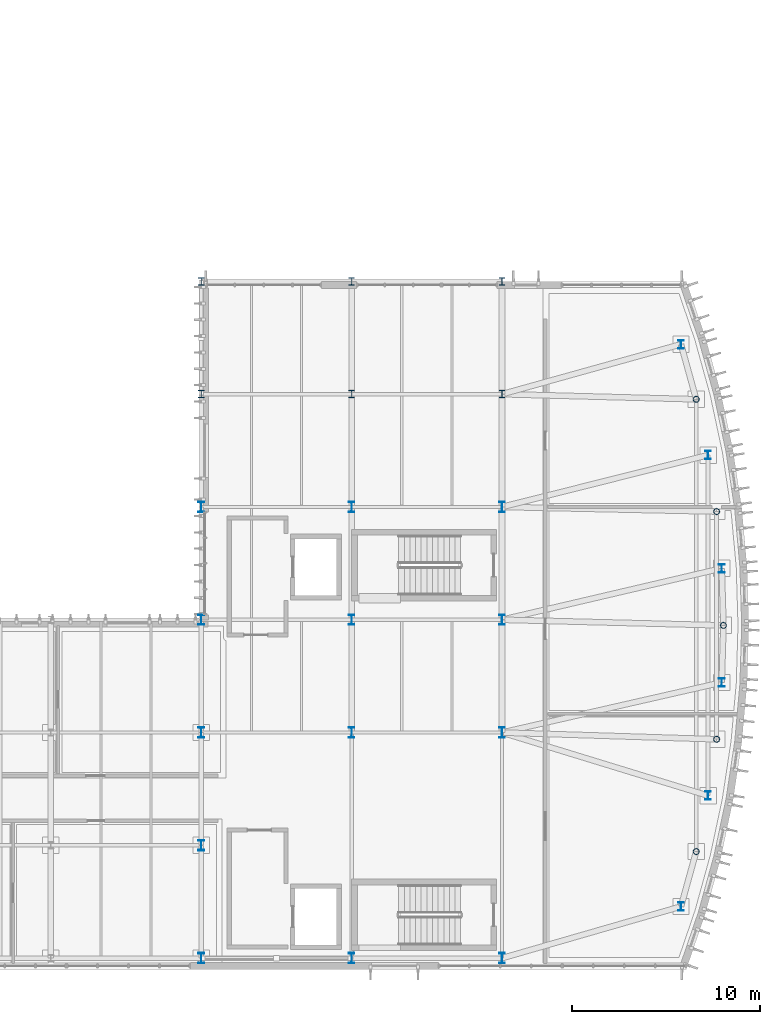
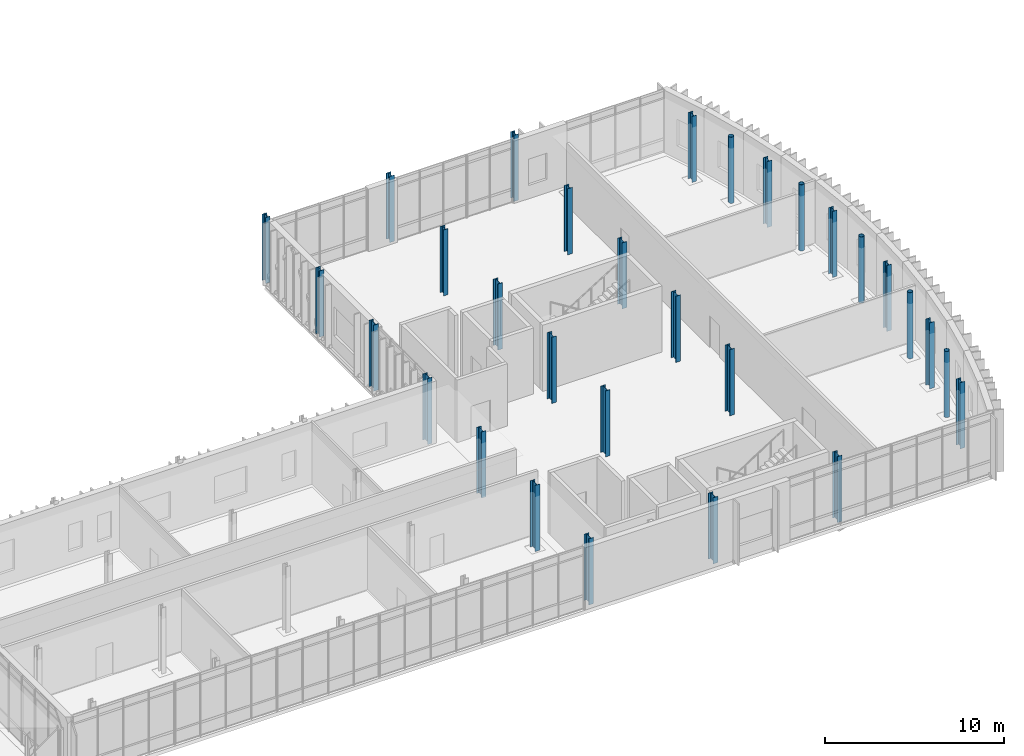
# One storey, part 11 of 86: 30 columns.
"""IFC4 building model written with IfcOpenShell, lengths in metres."""

from ifc_helpers import new_model, si_unit, direction, frame, origin, origin_2d, place, context, subcontext, project, spatial, hollow_circle, i_section, extrude, material, material_profile, profile_set, type_object, element, save


model = new_model("IFC4")

# Units and contexts
model_context = context("Model", 3, precision=1e-05, world=origin(), true_north=direction((0.0, 1.0)))
body_context = subcontext(model_context, "Body", "Model", "MODEL_VIEW")
ifc_project = project(units=[si_unit("LENGTHUNIT", "METRE"), si_unit("AREAUNIT", "SQUARE_METRE"), si_unit("VOLUMEUNIT", "CUBIC_METRE"), si_unit("PLANEANGLEUNIT", "RADIAN"), si_unit("MASSUNIT", "GRAM", prefix="KILO")], contexts=[model_context])

# Site, building, storey
site_placement = place(None, origin())
site = spatial("IfcSite", under=ifc_project, at=site_placement, CompositionType="ELEMENT")
building_placement = place(site_placement, origin())
building = spatial("IfcBuilding", under=site, at=building_placement, Name="Cymarion Research Institute", CompositionType="ELEMENT")
storey_placement = place(building_placement, frame((0.0, 0.0, 13.800048828125)))
storey = spatial("IfcBuildingStorey", under=building, at=storey_placement, Name="L03", CompositionType="ELEMENT", Elevation=13.800048828125)

# Columns
ifc_material = material(Name="Steel S355", Category="steel")
ifc_material_profile_1 = material_profile(ifc_material, i_section(OverallWidth=0.300048828125, OverallDepth=0.550048828125, WebThickness=0.014892578125, FlangeThickness=0.029052734375, FilletRadius=0.027099609375, at=origin_2d()), Name="HEB 550")
ifc_profile_set_1 = profile_set([ifc_material_profile_1], Name="Steel S355")
column_type_1 = type_object("IfcColumnType", Name="STRUCTURAL COLUMN C03 HEB 550", PredefinedType="COLUMN", material=ifc_profile_set_1)
for number, where, z_axis, x_axis, name in (
    (1, (138.60009765625, 5.5, 0.0), (0.0, 0.0, 1.0), (1.0, 0.0, 0.0), "L03 V1 column C03 #991"),
    (2, (138.60009765625, 11.5, 0.0), (0.0, 0.0, 1.0), (1.0, 0.0, 0.0), "L03 V1 column C03 #992"),
    (3, (138.60009765625, 17.5, 0.0), (0.0, 0.0, 1.0), (1.0, 0.0, 0.0), "L03 V1 column C03 #993"),
    (4, (138.60009765625, 23.5, 0.0), (0.0, 0.0, 1.0), (1.0, 0.0, 0.0), "L03 V1 column C03 #994"),
    (5, (138.60009765625, 29.5, 0.0), (0.0, 0.0, 1.0), (1.0, 0.0, 0.0), "L03 V1 column C03 #995"),
    (6, (146.60009765625, 5.5, 0.0), (0.0, 0.0, 1.0), (1.0, 0.0, 0.0), "L03 V1 column C03 #998"),
    (7, (146.60009765625, 17.5, 0.0), (0.0, 0.0, 1.0), (1.0, 0.0, 0.0), "L03 V1 column C03 #999"),
    (8, (146.60009765625, 23.5, 0.0), (0.0, 0.0, 1.0), (1.0, 0.0, 0.0), "L03 V1 column C03 #1000"),
    (9, (146.60009765625, 29.5, 0.0), (0.0, 0.0, 1.0), (1.0, 0.0, 0.0), "L03 V1 column C03 #1001"),
    (10, (154.60009765625, 5.5, 0.0), (0.0, 0.0, 1.0), (1.0, 0.0, 0.0), "L03 V1 column C03 #1004"),
    (11, (154.60009765625, 17.5, 0.0), (0.0, 0.0, 1.0), (1.0, 0.0, 0.0), "L03 V1 column C03 #1005"),
    (12, (154.60009765625, 23.5, 0.0), (0.0, 0.0, 1.0), (1.0, 0.0, 0.0), "L03 V1 column C03 #1006"),
    (13, (154.60009765625, 29.5, 0.0), (0.0, 0.0, 1.0), (1.0, 0.0, 0.0), "L03 V1 column C03 #1007"),
):
    element("IfcColumn", number, at=place(storey_placement, frame(where, z_axis=z_axis, x_axis=x_axis)), inside=storey, type_object=column_type_1, Name=name, PredefinedType="COLUMN", context=body_context, shape_type="SweptSolid", body=[
        extrude(i_section(OverallWidth=0.300048828125, OverallDepth=0.550048828125, WebThickness=0.014892578125, FlangeThickness=0.029052734375, FilletRadius=0.027099609375, at=origin_2d()), origin(), (0.0, 0.0, 1.0), 4.5),
    ])
ifc_material_profile_2 = material_profile(ifc_material, i_section(OverallWidth=0.300048828125, OverallDepth=0.449951171875, WebThickness=0.013916015625, FlangeThickness=0.02587890625, FilletRadius=0.027099609375, at=origin_2d()), Name="HEB 450")
ifc_profile_set_2 = profile_set([ifc_material_profile_2], Name="Steel S355")
column_type_2 = type_object("IfcColumnType", Name="STRUCTURAL COLUMN C05 HEB 450", PredefinedType="COLUMN", material=ifc_profile_set_2)
for number, where, z_axis, x_axis, name in (
    (14, (164.118896484375, 8.2470703125, 0.0), (0.0, 0.0, 1.0), (1.0, 0.0, 0.0), "L03 V1 column C05 #1010"),
    (15, (164.118896484375, 38.153076171875, 0.0), (0.0, 0.0, 1.0), (1.0, 0.0, 0.0), "L03 V1 column C05 #1011"),
    (16, (165.559814453125, 14.1416015625, 0.0), (0.0, 0.0, 1.0), (1.0, 0.0, 0.0), "L03 V1 column C05 #1014"),
    (17, (165.559814453125, 32.258544921875, 0.0), (0.0, 0.0, 1.0), (1.0, 0.0, 0.0), "L03 V1 column C05 #1015"),
    (18, (166.285400390625, 20.166015625, 0.0), (0.0, 0.0, 1.0), (1.0, 0.0, 0.0), "L03 V1 column C05 #1018"),
    (19, (166.285400390625, 26.23388671875, 0.0), (0.0, 0.0, 1.0), (1.0, 0.0, 0.0), "L03 V1 column C05 #1019"),
):
    element("IfcColumn", number, at=place(storey_placement, frame(where, z_axis=z_axis, x_axis=x_axis)), inside=storey, type_object=column_type_2, Name=name, PredefinedType="COLUMN", context=body_context, shape_type="SweptSolid", body=[
        extrude(i_section(OverallWidth=0.300048828125, OverallDepth=0.449951171875, WebThickness=0.013916015625, FlangeThickness=0.02587890625, FilletRadius=0.027099609375, at=origin_2d()), origin(), (0.0, 0.0, 1.0), 4.5),
    ])
ifc_material_profile_3 = material_profile(ifc_material, i_section(OverallWidth=0.300048828125, OverallDepth=0.39990234375, WebThickness=0.013427734375, FlangeThickness=0.02392578125, FilletRadius=0.027099609375, at=origin_2d()), Name="HEB 400")
ifc_profile_set_3 = profile_set([ifc_material_profile_3], Name="Steel S355")
column_type_3 = type_object("IfcColumnType", Name="STRUCTURAL COLUMN C06 HEB 400", PredefinedType="COLUMN", material=ifc_profile_set_3)
for number, where, z_axis, x_axis, name in (
    (20, (138.60009765625, 35.5, 0.0), (0.0, 0.0, 1.0), (1.0, 0.0, 0.0), "L03 V1 column C06 #996"),
    (21, (138.60009765625, 41.5, 0.0), (0.0, 0.0, 1.0), (1.0, 0.0, 0.0), "L03 V1 column C06 #997"),
    (22, (146.60009765625, 35.5, 0.0), (0.0, 0.0, 1.0), (1.0, 0.0, 0.0), "L03 V1 column C06 #1002"),
    (23, (146.60009765625, 41.5, 0.0), (0.0, 0.0, 1.0), (1.0, 0.0, 0.0), "L03 V1 column C06 #1003"),
    (24, (154.60009765625, 35.5, 0.0), (0.0, 0.0, 1.0), (1.0, 0.0, 0.0), "L03 V1 column C06 #1008"),
    (25, (154.60009765625, 41.5, 0.0), (0.0, 0.0, 1.0), (1.0, 0.0, 0.0), "L03 V1 column C06 #1009"),
):
    element("IfcColumn", number, at=place(storey_placement, frame(where, z_axis=z_axis, x_axis=x_axis)), inside=storey, type_object=column_type_3, Name=name, PredefinedType="COLUMN", context=body_context, shape_type="SweptSolid", body=[
        extrude(i_section(OverallWidth=0.300048828125, OverallDepth=0.39990234375, WebThickness=0.013427734375, FlangeThickness=0.02392578125, FilletRadius=0.027099609375, at=origin_2d()), origin(), (0.0, 0.0, 1.0), 4.5),
    ])
ifc_material_profile_4 = material_profile(ifc_material, hollow_circle(Radius=0.161865234375, WallThickness=0.01611328125, at=origin_2d()), Name="CHS 323.9x16")
ifc_profile_set_4 = profile_set([ifc_material_profile_4], Name="Steel S355")
column_type_4 = type_object("IfcColumnType", Name="STRUCTURAL COLUMN C16 CHS 323.9x16", PredefinedType="COLUMN", material=ifc_profile_set_4)
for number, where, z_axis, x_axis, name in (
    (26, (164.927734375, 11.172607421875, 0.0), (0.0, 0.0, 1.0), (1.0, 0.0, 0.0), "L03 V1 column C16 #1012"),
    (27, (164.927734375, 35.227294921875, 0.0), (0.0, 0.0, 1.0), (1.0, 0.0, 0.0), "L03 V1 column C16 #1013"),
    (28, (166.012939453125, 17.142822265625, 0.0), (0.0, 0.0, 1.0), (1.0, 0.0, 0.0), "L03 V1 column C16 #1016"),
    (29, (166.012939453125, 29.257080078125, 0.0), (0.0, 0.0, 1.0), (1.0, 0.0, 0.0), "L03 V1 column C16 #1017"),
    (30, (166.37646484375, 23.199951171875, 0.0), (0.0, 0.0, 1.0), (1.0, 0.0, 0.0), "L03 V1 column C16 #1020"),
):
    element("IfcColumn", number, at=place(storey_placement, frame(where, z_axis=z_axis, x_axis=x_axis)), inside=storey, type_object=column_type_4, Name=name, PredefinedType="COLUMN", context=body_context, shape_type="SweptSolid", body=[
        extrude(hollow_circle(Radius=0.161865234375, WallThickness=0.01611328125, at=origin_2d()), origin(), (0.0, 0.0, 1.0), 4.5),
    ])

save(model, "model.ifc")
